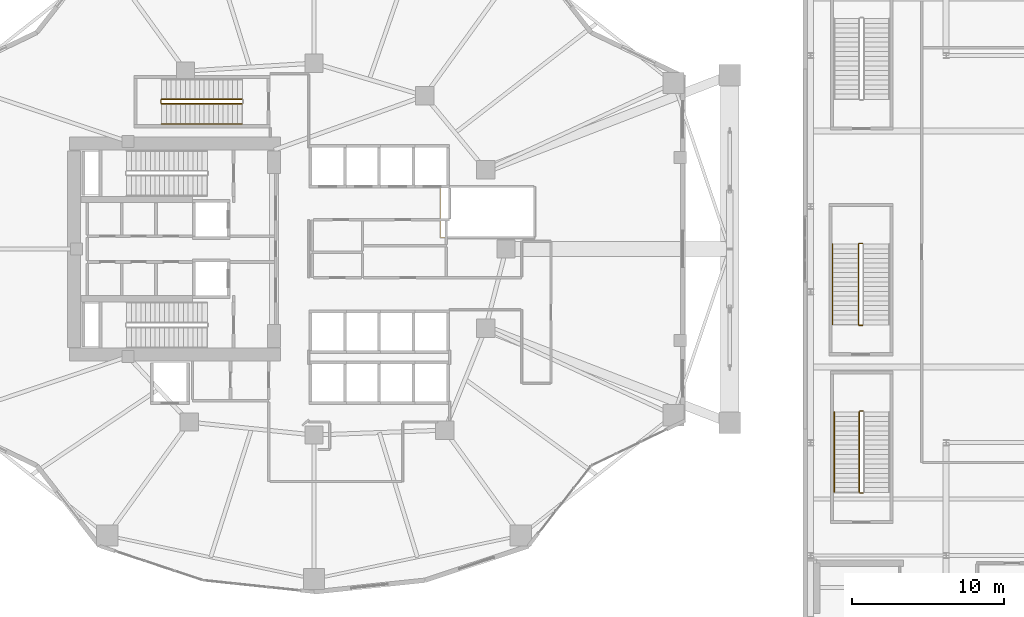
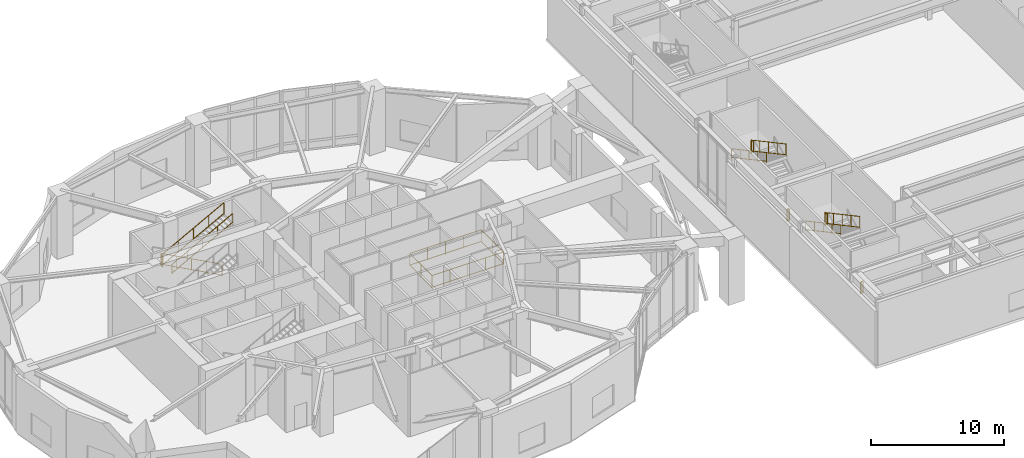
# One storey, part 23 of 25: 13 railings.
"""IFC4 building model written with IfcOpenShell, lengths in metres."""

from ifc_helpers import new_model, si_unit, direction, frame, origin, origin_2d, place, context, subcontext, project, spatial, rectangle, extrude, material, type_object, element, save


model = new_model("IFC4")

# Units and contexts
model_context = context("Model", 3, precision=1e-05, world=origin(), true_north=direction((0.0, 1.0)))
body_context = subcontext(model_context, "Body", "Model", "MODEL_VIEW")
ifc_project = project(units=[si_unit("LENGTHUNIT", "METRE"), si_unit("AREAUNIT", "SQUARE_METRE"), si_unit("VOLUMEUNIT", "CUBIC_METRE"), si_unit("PLANEANGLEUNIT", "RADIAN"), si_unit("MASSUNIT", "GRAM", prefix="KILO")], contexts=[model_context])

# Site, building, storey
site_placement = place(None, origin())
site = spatial("IfcSite", under=ifc_project, at=site_placement, CompositionType="ELEMENT")
building_placement = place(site_placement, origin())
building = spatial("IfcBuilding", under=site, at=building_placement, Name="Kolvaren Gate Tower and Convention Centre", CompositionType="ELEMENT")
storey_placement = place(building_placement, frame((0.0, 0.0, 15.0)))
storey = spatial("IfcBuildingStorey", under=building, at=storey_placement, Name="L03", CompositionType="ELEMENT", Elevation=15.0)

# Railings
ifc_material_1 = material(Name="Laminated Tempered Safety Glass Balustrade 21.5 mm", Category="glass")
railing_type_1 = type_object("IfcRailingType", Name="ARCH-RL-BALUST-1180", PredefinedType="BALUSTRADE", material=ifc_material_1)
railing_1_placement = place(storey_placement, frame((38.39990234375, 27.75, 0.0)))
element("IfcRailing", 1, at=railing_1_placement, inside=storey, type_object=railing_type_1, Name="Tower L03 Atrium Void Safety Balustrade", PredefinedType="BALUSTRADE", context=body_context, shape_type="SweptSolid", body=[
    extrude(rectangle(XDim=0.048095703125, YDim=0.048095703125, at=origin_2d()), frame((0.028076171875, 0.0, 1.15576171875), z_axis=(1.0, 0.0, 0.0), x_axis=(0.0, 1.0, 0.0)), (0.0, 0.0, 1.0), 6.14404296875),
    extrude(rectangle(XDim=0.048095703125, YDim=0.048095703125, at=origin_2d()), frame((0.028076171875, 0.0, 0.083984375), z_axis=(1.0, 0.0, 0.0), x_axis=(0.0, 1.0, 0.0)), (0.0, 0.0, 1.0), 6.14404296875),
    extrude(rectangle(XDim=0.048095703125, YDim=0.048095703125, at=origin_2d()), frame((6.2001953125, 0.028076171875, 1.15576171875), z_axis=(0.0, 1.0, 0.0), x_axis=(-1.0, 0.0, 0.0)), (0.0, 0.0, 1.0), 3.2939453125),
    extrude(rectangle(XDim=0.048095703125, YDim=0.048095703125, at=origin_2d()), frame((6.2001953125, 0.028076171875, 0.083984375), z_axis=(0.0, 1.0, 0.0), x_axis=(-1.0, 0.0, 0.0)), (0.0, 0.0, 1.0), 3.2939453125),
    extrude(rectangle(XDim=0.048095703125, YDim=0.048095703125, at=origin_2d()), frame((6.172119140625, 3.35009765625, 1.15576171875), z_axis=(-1.0, 0.0, 0.0), x_axis=(0.0, -1.0, 0.0)), (0.0, 0.0, 1.0), 6.14404296875),
    extrude(rectangle(XDim=0.048095703125, YDim=0.048095703125, at=origin_2d()), frame((6.172119140625, 3.35009765625, 0.083984375), z_axis=(-1.0, 0.0, 0.0), x_axis=(0.0, -1.0, 0.0)), (0.0, 0.0, 1.0), 6.14404296875),
    extrude(rectangle(XDim=0.048095703125, YDim=0.048095703125, at=origin_2d()), frame((0.0, 3.322021484375, 1.15576171875), z_axis=(0.0, -1.0, 0.0), x_axis=(1.0, 0.0, 0.0)), (0.0, 0.0, 1.0), 3.2939453125),
    extrude(rectangle(XDim=0.048095703125, YDim=0.048095703125, at=origin_2d()), frame((0.0, 3.322021484375, 0.083984375), z_axis=(0.0, -1.0, 0.0), x_axis=(1.0, 0.0, 0.0)), (0.0, 0.0, 1.0), 3.2939453125),
    extrude(rectangle(XDim=0.0419921875, YDim=0.0419921875, at=origin_2d()), origin(), (0.0, 0.0, 1.0), 1.179931640625),
    extrude(rectangle(XDim=0.0419921875, YDim=0.0419921875, at=origin_2d()), frame((6.2001953125, 0.0, 0.0)), (0.0, 0.0, 1.0), 1.179931640625),
    extrude(rectangle(XDim=0.0419921875, YDim=0.0419921875, at=origin_2d()), frame((1.550048828125, 0.0, 0.0)), (0.0, 0.0, 1.0), 1.1298828125),
    extrude(rectangle(XDim=0.0419921875, YDim=0.0419921875, at=origin_2d()), frame((3.10009765625, 0.0, 0.0)), (0.0, 0.0, 1.0), 1.1298828125),
    extrude(rectangle(XDim=0.0419921875, YDim=0.0419921875, at=origin_2d()), frame((4.650146484375, 0.0, 0.0)), (0.0, 0.0, 1.0), 1.1298828125),
    extrude(rectangle(XDim=0.0419921875, YDim=0.0419921875, at=origin_2d()), frame((6.2001953125, 3.35009765625, 0.0)), (0.0, 0.0, 1.0), 1.179931640625),
    extrude(rectangle(XDim=0.0419921875, YDim=0.0419921875, at=origin_2d()), frame((6.2001953125, 1.675048828125, 0.0)), (0.0, 0.0, 1.0), 1.1298828125),
    extrude(rectangle(XDim=0.0419921875, YDim=0.0419921875, at=origin_2d()), frame((0.0, 3.35009765625, 0.0)), (0.0, 0.0, 1.0), 1.179931640625),
    extrude(rectangle(XDim=0.0419921875, YDim=0.0419921875, at=origin_2d()), frame((4.650146484375, 3.35009765625, 0.0)), (0.0, 0.0, 1.0), 1.1298828125),
    extrude(rectangle(XDim=0.0419921875, YDim=0.0419921875, at=origin_2d()), frame((3.10009765625, 3.35009765625, 0.0)), (0.0, 0.0, 1.0), 1.1298828125),
    extrude(rectangle(XDim=0.0419921875, YDim=0.0419921875, at=origin_2d()), frame((1.550048828125, 3.35009765625, 0.0)), (0.0, 0.0, 1.0), 1.1298828125),
    extrude(rectangle(XDim=0.0419921875, YDim=0.0419921875, at=origin_2d()), frame((0.0, 1.675048828125, 0.0)), (0.0, 0.0, 1.0), 1.1298828125),
])
ifc_material_2 = material(Name="Brushed Stainless Steel Grade 316L", Category="steel")
railing_type_2 = type_object("IfcRailingType", Name="ARCH-RL-GUARD-1150", PredefinedType="GUARDRAIL", material=ifc_material_2)
railing_2_placement = place(storey_placement, frame((25.39990234375, 36.830078125, 0.166748046875)))
element("IfcRailing", 2, at=railing_2_placement, inside=storey, type_object=railing_type_2, Name="L03 ST-T3 stair guard 1", PredefinedType="GUARDRAIL", context=body_context, shape_type="SweptSolid", body=[
    extrude(rectangle(XDim=0.048095703125, YDim=0.048095703125, at=origin_2d()), frame((0.0, 0.0, 1.076171875), z_axis=(-0.88078142842, 0.0, 0.473523046271), x_axis=(0.0, -1.0, 0.0)), (0.0, 0.0, 1.0), 5.9833984375),
    extrude(rectangle(XDim=0.048095703125, YDim=0.048095703125, at=origin_2d()), frame((0.0, 0.0, 0.083984375), z_axis=(-0.88078142842, 0.0, 0.473523046271), x_axis=(0.0, -1.0, 0.0)), (0.0, 0.0, 1.0), 5.9833984375),
    extrude(rectangle(XDim=0.0419921875, YDim=0.0419921875, at=origin_2d()), origin(), (0.0, 0.0, 1.0), 1.050048828125),
    extrude(rectangle(XDim=0.0419921875, YDim=0.0419921875, at=origin_2d()), frame((-5.27001953125, 0.0, 2.833251953125)), (0.0, 0.0, 1.0), 1.050048828125),
    extrude(rectangle(XDim=0.0419921875, YDim=0.0419921875, at=origin_2d()), frame((-1.3173828125, 0.0, 0.708251953125)), (0.0, 0.0, 1.0), 1.050048828125),
    extrude(rectangle(XDim=0.0419921875, YDim=0.0419921875, at=origin_2d()), frame((-2.635009765625, 0.0, 1.41650390625)), (0.0, 0.0, 1.0), 1.050048828125),
    extrude(rectangle(XDim=0.0419921875, YDim=0.0419921875, at=origin_2d()), frame((-3.95263671875, 0.0, 2.125)), (0.0, 0.0, 1.0), 1.050048828125),
])
railing_3_placement = place(storey_placement, frame((20.080078125, 36.780029296875, 3.0)))
element("IfcRailing", 3, at=railing_3_placement, inside=storey, type_object=railing_type_2, Name="L03 ST-T3 stair guard 2", PredefinedType="GUARDRAIL", context=body_context, shape_type="SweptSolid", body=[
    extrude(rectangle(XDim=0.048095703125, YDim=0.048095703125, at=origin_2d()), frame((0.0, 0.0, 1.076171875), z_axis=(0.0, -1.0, 0.0), x_axis=(1.0, 0.0, 0.0)), (0.0, 0.0, 1.0), 0.199951171875),
    extrude(rectangle(XDim=0.048095703125, YDim=0.048095703125, at=origin_2d()), frame((0.0, 0.0, 0.083984375), z_axis=(0.0, -1.0, 0.0), x_axis=(1.0, 0.0, 0.0)), (0.0, 0.0, 1.0), 0.199951171875),
    extrude(rectangle(XDim=0.0419921875, YDim=0.0419921875, at=origin_2d()), origin(), (0.0, 0.0, 1.0), 1.050048828125),
    extrude(rectangle(XDim=0.0419921875, YDim=0.0419921875, at=origin_2d()), frame((0.0, -0.199951171875, 0.0)), (0.0, 0.0, 1.0), 1.050048828125),
])
railing_4_placement = place(storey_placement, frame((20.1298828125, 36.530029296875, 3.166748046875)))
element("IfcRailing", 4, at=railing_4_placement, inside=storey, type_object=railing_type_2, Name="L03 ST-T3 stair guard 3", PredefinedType="GUARDRAIL", context=body_context, shape_type="SweptSolid", body=[
    extrude(rectangle(XDim=0.048095703125, YDim=0.048095703125, at=origin_2d()), frame((0.0, 0.0, 1.076171875), z_axis=(0.88078142842, 0.0, 0.473523046271), x_axis=(0.0, 1.0, 0.0)), (0.0, 0.0, 1.0), 5.9833984375),
    extrude(rectangle(XDim=0.048095703125, YDim=0.048095703125, at=origin_2d()), frame((0.0, 0.0, 0.083984375), z_axis=(0.88078142842, 0.0, 0.473523046271), x_axis=(0.0, 1.0, 0.0)), (0.0, 0.0, 1.0), 5.9833984375),
    extrude(rectangle(XDim=0.0419921875, YDim=0.0419921875, at=origin_2d()), origin(), (0.0, 0.0, 1.0), 1.050048828125),
    extrude(rectangle(XDim=0.0419921875, YDim=0.0419921875, at=origin_2d()), frame((5.27001953125, 0.0, 2.833251953125)), (0.0, 0.0, 1.0), 1.050048828125),
    extrude(rectangle(XDim=0.0419921875, YDim=0.0419921875, at=origin_2d()), frame((1.3173828125, 0.0, 0.708251953125)), (0.0, 0.0, 1.0), 1.050048828125),
    extrude(rectangle(XDim=0.0419921875, YDim=0.0419921875, at=origin_2d()), frame((2.635009765625, 0.0, 1.41650390625)), (0.0, 0.0, 1.0), 1.050048828125),
    extrude(rectangle(XDim=0.0419921875, YDim=0.0419921875, at=origin_2d()), frame((3.95263671875, 0.0, 2.125)), (0.0, 0.0, 1.0), 1.050048828125),
])
railing_5_placement = place(storey_placement, frame((66.14990234375, 16.3701171875, 3.0)))
element("IfcRailing", 5, at=railing_5_placement, inside=storey, type_object=railing_type_2, Name="L03 ST-C2 stair guard 2", PredefinedType="GUARDRAIL", context=body_context, shape_type="SweptSolid", body=[
    extrude(rectangle(XDim=0.048095703125, YDim=0.048095703125, at=origin_2d()), frame((0.0, 0.0, 1.076171875), z_axis=(-1.0, 0.0, 0.0), x_axis=(0.0, -1.0, 0.0)), (0.0, 0.0, 1.0), 0.199951171875),
    extrude(rectangle(XDim=0.048095703125, YDim=0.048095703125, at=origin_2d()), frame((0.0, 0.0, 0.083984375), z_axis=(-1.0, 0.0, 0.0), x_axis=(0.0, -1.0, 0.0)), (0.0, 0.0, 1.0), 0.199951171875),
    extrude(rectangle(XDim=0.0419921875, YDim=0.0419921875, at=origin_2d()), origin(), (0.0, 0.0, 1.0), 1.050048828125),
    extrude(rectangle(XDim=0.0419921875, YDim=0.0419921875, at=origin_2d()), frame((-0.199951171875, 0.0, 0.0)), (0.0, 0.0, 1.0), 1.050048828125),
])
railing_6_placement = place(storey_placement, frame((65.89990234375, 16.320068359375, 3.166748046875)))
element("IfcRailing", 6, at=railing_6_placement, inside=storey, type_object=railing_type_2, Name="L03 ST-C2 stair guard 3", PredefinedType="GUARDRAIL", context=body_context, shape_type="SweptSolid", body=[
    extrude(rectangle(XDim=0.048095703125, YDim=0.048095703125, at=origin_2d()), frame((0.0, 0.0, 1.076171875), z_axis=(0.0, -0.88078142842, 0.473523046271), x_axis=(1.0, 0.0, 0.0)), (0.0, 0.0, 1.0), 5.9833984375),
    extrude(rectangle(XDim=0.048095703125, YDim=0.048095703125, at=origin_2d()), frame((0.0, 0.0, 0.083984375), z_axis=(0.0, -0.88078142842, 0.473523046271), x_axis=(1.0, 0.0, 0.0)), (0.0, 0.0, 1.0), 5.9833984375),
    extrude(rectangle(XDim=0.0419921875, YDim=0.0419921875, at=origin_2d()), origin(), (0.0, 0.0, 1.0), 1.050048828125),
    extrude(rectangle(XDim=0.0419921875, YDim=0.0419921875, at=origin_2d()), frame((0.0, -5.27001953125, 2.833251953125)), (0.0, 0.0, 1.0), 1.050048828125),
    extrude(rectangle(XDim=0.0419921875, YDim=0.0419921875, at=origin_2d()), frame((0.0, -1.3173828125, 0.708251953125)), (0.0, 0.0, 1.0), 1.050048828125),
    extrude(rectangle(XDim=0.0419921875, YDim=0.0419921875, at=origin_2d()), frame((0.0, -2.635009765625, 1.41650390625)), (0.0, 0.0, 1.0), 1.050048828125),
    extrude(rectangle(XDim=0.0419921875, YDim=0.0419921875, at=origin_2d()), frame((0.0, -3.95263671875, 2.125)), (0.0, 0.0, 1.0), 1.050048828125),
])
railing_7_placement = place(storey_placement, frame((66.14990234375, 11.0, 0.0)))
element("IfcRailing", 7, at=railing_7_placement, inside=storey, type_object=railing_type_2, Name="L03 ST-C2 stair guard 4", PredefinedType="GUARDRAIL", context=body_context, shape_type="SweptSolid", body=[
    extrude(rectangle(XDim=0.048095703125, YDim=0.048095703125, at=origin_2d()), frame((0.0, 0.0, 1.076171875), z_axis=(-1.0, 0.0, 0.0), x_axis=(0.0, -1.0, 0.0)), (0.0, 0.0, 1.0), 0.199951171875),
    extrude(rectangle(XDim=0.048095703125, YDim=0.048095703125, at=origin_2d()), frame((0.0, 0.0, 0.083984375), z_axis=(-1.0, 0.0, 0.0), x_axis=(0.0, -1.0, 0.0)), (0.0, 0.0, 1.0), 0.199951171875),
    extrude(rectangle(XDim=0.0419921875, YDim=0.0419921875, at=origin_2d()), origin(), (0.0, 0.0, 1.0), 1.050048828125),
    extrude(rectangle(XDim=0.0419921875, YDim=0.0419921875, at=origin_2d()), frame((-0.199951171875, 0.0, 0.0)), (0.0, 0.0, 1.0), 1.050048828125),
])
railing_8_placement = place(storey_placement, frame((66.10009765625, 27.3701171875, 3.0)))
element("IfcRailing", 8, at=railing_8_placement, inside=storey, type_object=railing_type_2, Name="L03 ST-C5 stair guard 2", PredefinedType="GUARDRAIL", context=body_context, shape_type="SweptSolid", body=[
    extrude(rectangle(XDim=0.048095703125, YDim=0.048095703125, at=origin_2d()), frame((0.0, 0.0, 1.076171875), z_axis=(-1.0, 0.0, 0.0), x_axis=(0.0, -1.0, 0.0)), (0.0, 0.0, 1.0), 0.2001953125),
    extrude(rectangle(XDim=0.048095703125, YDim=0.048095703125, at=origin_2d()), frame((0.0, 0.0, 0.083984375), z_axis=(-1.0, 0.0, 0.0), x_axis=(0.0, -1.0, 0.0)), (0.0, 0.0, 1.0), 0.2001953125),
    extrude(rectangle(XDim=0.0419921875, YDim=0.0419921875, at=origin_2d()), origin(), (0.0, 0.0, 1.0), 1.050048828125),
    extrude(rectangle(XDim=0.0419921875, YDim=0.0419921875, at=origin_2d()), frame((-0.2001953125, 0.0, 0.0)), (0.0, 0.0, 1.0), 1.050048828125),
])
railing_9_placement = place(storey_placement, frame((65.85009765625, 27.320068359375, 3.166748046875)))
element("IfcRailing", 9, at=railing_9_placement, inside=storey, type_object=railing_type_2, Name="L03 ST-C5 stair guard 3", PredefinedType="GUARDRAIL", context=body_context, shape_type="SweptSolid", body=[
    extrude(rectangle(XDim=0.048095703125, YDim=0.048095703125, at=origin_2d()), frame((0.0, 0.0, 1.076171875), z_axis=(0.0, -0.88078142842, 0.473523046271), x_axis=(1.0, 0.0, 0.0)), (0.0, 0.0, 1.0), 5.9833984375),
    extrude(rectangle(XDim=0.048095703125, YDim=0.048095703125, at=origin_2d()), frame((0.0, 0.0, 0.083984375), z_axis=(0.0, -0.88078142842, 0.473523046271), x_axis=(1.0, 0.0, 0.0)), (0.0, 0.0, 1.0), 5.9833984375),
    extrude(rectangle(XDim=0.0419921875, YDim=0.0419921875, at=origin_2d()), origin(), (0.0, 0.0, 1.0), 1.050048828125),
    extrude(rectangle(XDim=0.0419921875, YDim=0.0419921875, at=origin_2d()), frame((0.0, -5.27001953125, 2.833251953125)), (0.0, 0.0, 1.0), 1.050048828125),
    extrude(rectangle(XDim=0.0419921875, YDim=0.0419921875, at=origin_2d()), frame((0.0, -1.3173828125, 0.708251953125)), (0.0, 0.0, 1.0), 1.050048828125),
    extrude(rectangle(XDim=0.0419921875, YDim=0.0419921875, at=origin_2d()), frame((0.0, -2.635009765625, 1.41650390625)), (0.0, 0.0, 1.0), 1.050048828125),
    extrude(rectangle(XDim=0.0419921875, YDim=0.0419921875, at=origin_2d()), frame((0.0, -3.95263671875, 2.125)), (0.0, 0.0, 1.0), 1.050048828125),
])
railing_10_placement = place(storey_placement, frame((66.10009765625, 22.0, 0.0)))
element("IfcRailing", 10, at=railing_10_placement, inside=storey, type_object=railing_type_2, Name="L03 ST-C5 stair guard 4", PredefinedType="GUARDRAIL", context=body_context, shape_type="SweptSolid", body=[
    extrude(rectangle(XDim=0.048095703125, YDim=0.048095703125, at=origin_2d()), frame((0.0, 0.0, 1.076171875), z_axis=(-1.0, 0.0, 0.0), x_axis=(0.0, -1.0, 0.0)), (0.0, 0.0, 1.0), 0.2001953125),
    extrude(rectangle(XDim=0.048095703125, YDim=0.048095703125, at=origin_2d()), frame((0.0, 0.0, 0.083984375), z_axis=(-1.0, 0.0, 0.0), x_axis=(0.0, -1.0, 0.0)), (0.0, 0.0, 1.0), 0.2001953125),
    extrude(rectangle(XDim=0.0419921875, YDim=0.0419921875, at=origin_2d()), origin(), (0.0, 0.0, 1.0), 1.050048828125),
    extrude(rectangle(XDim=0.0419921875, YDim=0.0419921875, at=origin_2d()), frame((-0.2001953125, 0.0, 0.0)), (0.0, 0.0, 1.0), 1.050048828125),
])
railing_type_3 = type_object("IfcRailingType", Name="ARCH-RL-HANDRAIL-920", PredefinedType="HANDRAIL", material=ifc_material_2)
railing_11_placement = place(storey_placement, frame((20.1298828125, 35.2099609375, 3.166748046875)))
element("IfcRailing", 11, at=railing_11_placement, inside=storey, type_object=railing_type_3, Name="L03 ST-T3 stair handrail 2", PredefinedType="HANDRAIL", context=body_context, shape_type="SweptSolid", body=[
    extrude(rectangle(XDim=0.048095703125, YDim=0.048095703125, at=origin_2d()), frame((0.0, 0.0, 0.8759765625), z_axis=(0.88078142842, 0.0, 0.473523046271), x_axis=(0.0, 1.0, 0.0)), (0.0, 0.0, 1.0), 5.9833984375),
    extrude(rectangle(XDim=0.048095703125, YDim=0.048095703125, at=origin_2d()), frame((0.0, 0.0, 0.083984375), z_axis=(0.88078142842, 0.0, 0.473523046271), x_axis=(0.0, 1.0, 0.0)), (0.0, 0.0, 1.0), 5.9833984375),
    extrude(rectangle(XDim=0.0419921875, YDim=0.0419921875, at=origin_2d()), origin(), (0.0, 0.0, 1.0), 0.849853515625),
    extrude(rectangle(XDim=0.0419921875, YDim=0.0419921875, at=origin_2d()), frame((5.27001953125, 0.0, 2.833251953125)), (0.0, 0.0, 1.0), 0.849853515625),
    extrude(rectangle(XDim=0.0419921875, YDim=0.0419921875, at=origin_2d()), frame((1.3173828125, 0.0, 0.708251953125)), (0.0, 0.0, 1.0), 0.849853515625),
    extrude(rectangle(XDim=0.0419921875, YDim=0.0419921875, at=origin_2d()), frame((2.635009765625, 0.0, 1.41650390625)), (0.0, 0.0, 1.0), 0.849853515625),
    extrude(rectangle(XDim=0.0419921875, YDim=0.0419921875, at=origin_2d()), frame((3.95263671875, 0.0, 2.125)), (0.0, 0.0, 1.0), 0.849853515625),
])
for number, where, name in (
    (12, (64.25, 16.320068359375, 3.166748046875), "L03 ST-C2 stair handrail 2"),
    (13, (64.14990234375, 27.320068359375, 3.166748046875), "L03 ST-C5 stair handrail 2"),
):
    element("IfcRailing", number, at=place(storey_placement, frame(where)), inside=storey, type_object=railing_type_3, Name=name, PredefinedType="HANDRAIL", context=body_context, shape_type="SweptSolid", body=[
        extrude(rectangle(XDim=0.048095703125, YDim=0.048095703125, at=origin_2d()), frame((0.0, 0.0, 0.8759765625), z_axis=(0.0, -0.88078142842, 0.473523046271), x_axis=(1.0, 0.0, 0.0)), (0.0, 0.0, 1.0), 5.9833984375),
        extrude(rectangle(XDim=0.048095703125, YDim=0.048095703125, at=origin_2d()), frame((0.0, 0.0, 0.083984375), z_axis=(0.0, -0.88078142842, 0.473523046271), x_axis=(1.0, 0.0, 0.0)), (0.0, 0.0, 1.0), 5.9833984375),
        extrude(rectangle(XDim=0.0419921875, YDim=0.0419921875, at=origin_2d()), origin(), (0.0, 0.0, 1.0), 0.849853515625),
        extrude(rectangle(XDim=0.0419921875, YDim=0.0419921875, at=origin_2d()), frame((0.0, -5.27001953125, 2.833251953125)), (0.0, 0.0, 1.0), 0.849853515625),
        extrude(rectangle(XDim=0.0419921875, YDim=0.0419921875, at=origin_2d()), frame((0.0, -1.3173828125, 0.708251953125)), (0.0, 0.0, 1.0), 0.849853515625),
        extrude(rectangle(XDim=0.0419921875, YDim=0.0419921875, at=origin_2d()), frame((0.0, -2.635009765625, 1.41650390625)), (0.0, 0.0, 1.0), 0.849853515625),
        extrude(rectangle(XDim=0.0419921875, YDim=0.0419921875, at=origin_2d()), frame((0.0, -3.95263671875, 2.125)), (0.0, 0.0, 1.0), 0.849853515625),
    ])

save(model, "model.ifc")
